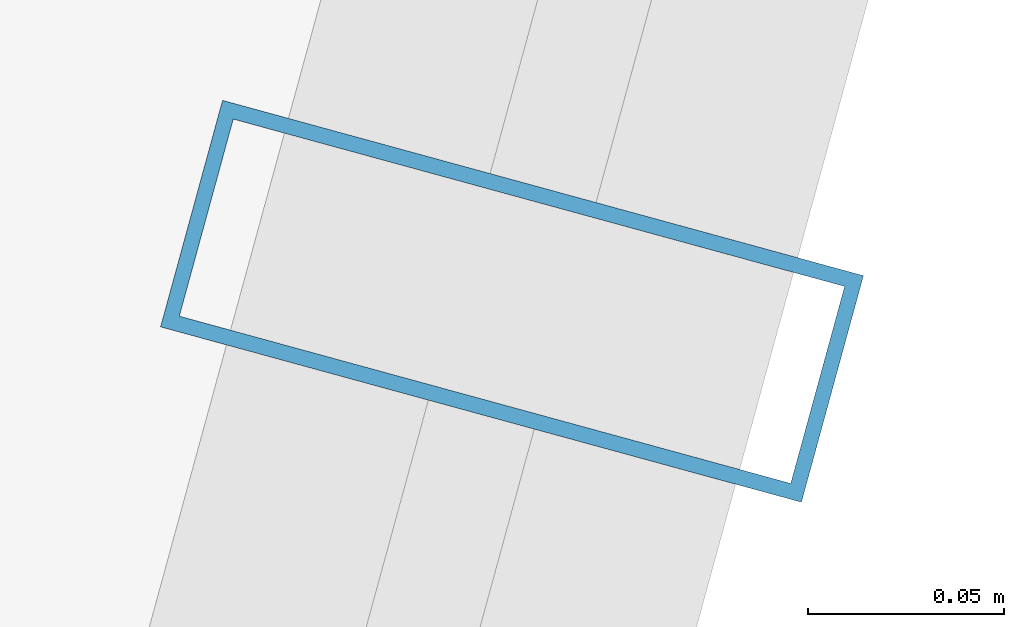
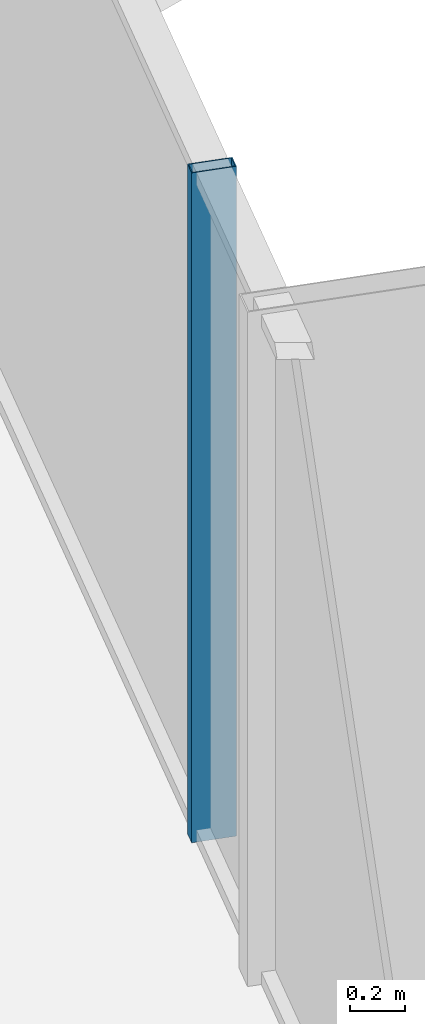
# One storey, part 19 of 39: 1 member, 1 element without a shape of its own.
"""IFC4 building model written with IfcOpenShell, lengths in metres."""

from ifc_helpers import new_model, si_unit, direction, frame, origin, origin_2d, place, context, subcontext, project, spatial, hollow_rectangle, extrude, source, transform, mapped, material, layer, layer_set, material_profile, profile_set, type_object, element, aggregate, save


model = new_model("IFC4")

# Units and contexts
model_context = context("Model", 3, precision=1e-05, world=origin(), true_north=direction((0.0, 1.0)))
body_context = subcontext(model_context, "Body", "Model", "MODEL_VIEW")
ifc_project = project(units=[si_unit("LENGTHUNIT", "METRE"), si_unit("AREAUNIT", "SQUARE_METRE"), si_unit("VOLUMEUNIT", "CUBIC_METRE"), si_unit("PLANEANGLEUNIT", "RADIAN"), si_unit("MASSUNIT", "GRAM", prefix="KILO")], contexts=[model_context])

# Site, building, storey
site_placement = place(None, origin())
site = spatial("IfcSite", under=ifc_project, at=site_placement, CompositionType="ELEMENT")
building_placement = place(site_placement, origin())
building = spatial("IfcBuilding", under=site, at=building_placement, Name="Veraguas Prism Commons", CompositionType="ELEMENT")
storey_placement = place(building_placement, frame((0.0, 0.0, 73.85009765625)))
storey = spatial("IfcBuildingStorey", under=building, at=storey_placement, Name="L20", CompositionType="ELEMENT", Elevation=73.85009765625)

# Curtain wall, member
ifc_material = material(Name="Anodised aluminium EN AW-6063 T6", Category="aluminium")
ifc_layer = layer(ifc_material, 0.169921875, Name="Unitised Flush Curtain Wall Zone 1", Category="aluminium")
ifc_layer_set = layer_set([ifc_layer], Name="Anodised aluminium EN AW-6063 T6")
curtain_wall_type = type_object("IfcCurtainWallType", Name="Unitised Flush Curtain Wall Zone 1", PredefinedType="NOTDEFINED", material=ifc_layer_set)
curtain_wall_placement = place(storey_placement, origin())
curtain_wall = element("IfcCurtainWall", 1, at=curtain_wall_placement, inside=storey, type_object=curtain_wall_type, Name="Tower Facade Curtain Wall L20-F6", PredefinedType="NOTDEFINED")
ifc_material_profile = material_profile(ifc_material, hollow_rectangle(XDim=0.06005859375, YDim=0.169921875, WallThickness=0.00390625, at=origin_2d()), Name="AL60X170X4")
ifc_profile_set = profile_set([ifc_material_profile], Name="Anodised aluminium EN AW-6063 T6")
member_type = type_object("IfcMemberType", Name="Curtain Wall Mullion Lower AL 60x170x4", PredefinedType="MULLION", material=ifc_profile_set)
shared_shape = source(origin(), body_context, "Body", "SweptSolid", [
    extrude(hollow_rectangle(XDim=0.06005859375, YDim=0.169921875, WallThickness=0.00390625, at=origin_2d()), origin(), (0.0, 0.0, 1.0), 3.0),
])
member_placement = place(storey_placement, frame((45.280517578125, 23.02099609375, 0.0), z_axis=(0.0, 0.0, 1.0), x_axis=(0.26387978384, 0.964555576253, 0.0)))
member = element("IfcMember", 2, at=member_placement, type_object=member_type, Name="CW-Z1 Mullion 4", PredefinedType="MULLION", context=body_context, shape_type="MappedRepresentation", body=[
    mapped(shared_shape, transform((0.0, 0.0, 0.0), scale=1.0)),
])
aggregate(curtain_wall, [member])

save(model, "model.ifc")
